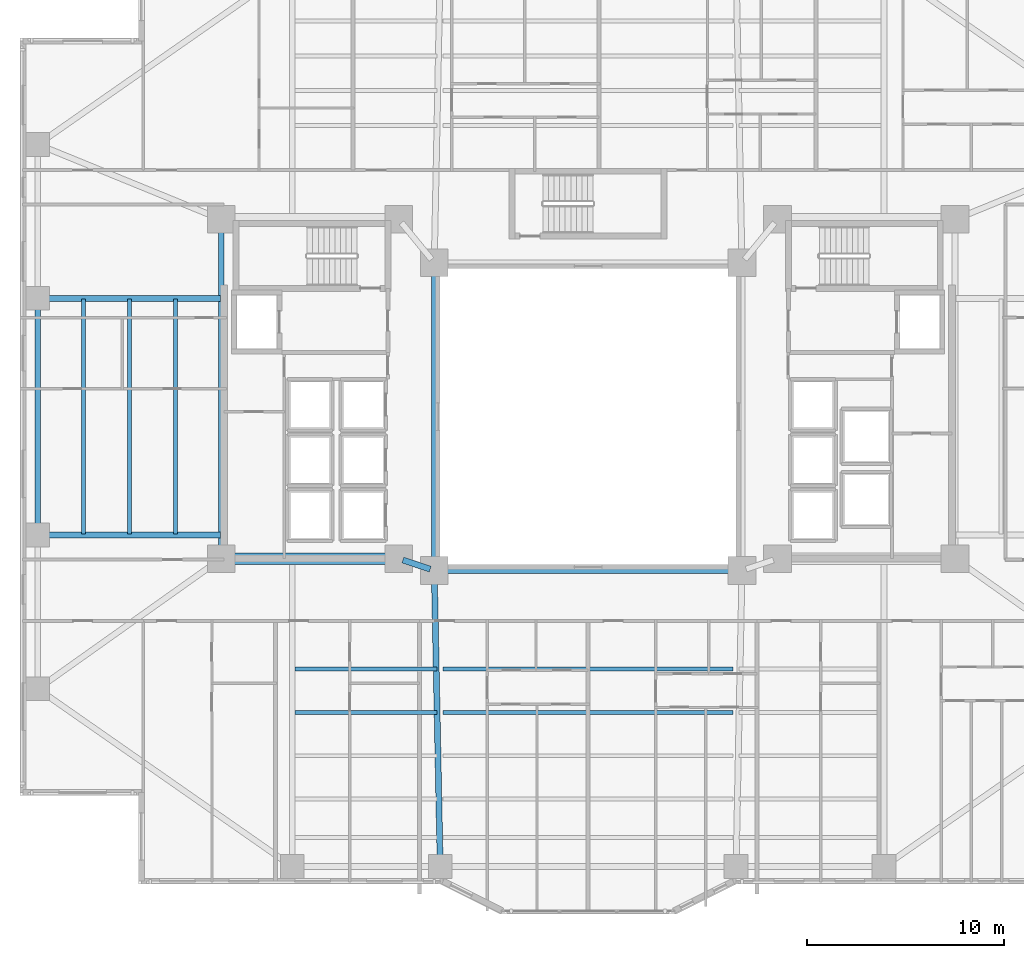
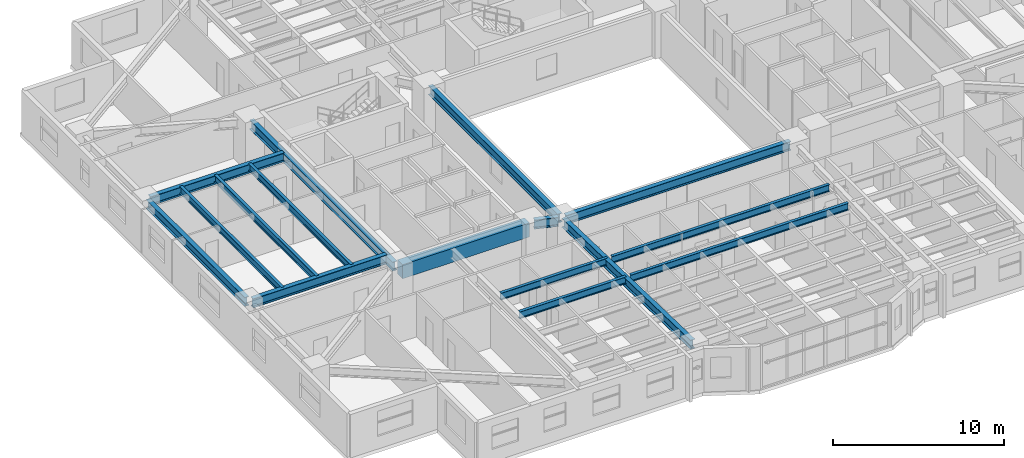
# One storey, part 3 of 21: 16 beams.
"""IFC4 building model written with IfcOpenShell, lengths in metres."""

from ifc_helpers import new_model, si_unit, direction, frame, origin, origin_2d, place, context, subcontext, project, spatial, rectangle, i_section, extrude, material, material_profile, profile_set, type_object, element, save


model = new_model("IFC4")

# Units and contexts
model_context = context("Model", 3, precision=1e-05, world=origin(), true_north=direction((0.0, 1.0)))
body_context = subcontext(model_context, "Body", "Model", "MODEL_VIEW")
ifc_project = project(units=[si_unit("LENGTHUNIT", "METRE"), si_unit("AREAUNIT", "SQUARE_METRE"), si_unit("VOLUMEUNIT", "CUBIC_METRE"), si_unit("PLANEANGLEUNIT", "RADIAN"), si_unit("MASSUNIT", "GRAM", prefix="KILO")], contexts=[model_context])

# Site, building, storey
site_placement = place(None, origin())
site = spatial("IfcSite", under=ifc_project, at=site_placement, CompositionType="ELEMENT")
building_placement = place(site_placement, origin())
building = spatial("IfcBuilding", under=site, at=building_placement, Name="Tarnavaz Court Tower", CompositionType="ELEMENT")
storey_placement = place(building_placement, frame((0.0, 0.0, 24.0)))
storey = spatial("IfcBuildingStorey", under=building, at=storey_placement, Name="L05", CompositionType="ELEMENT", Elevation=24.0)

# Beams
ifc_material_1 = material(Name="Concrete C60/75", Category="concrete")
ifc_material_profile_1 = material_profile(ifc_material_1, rectangle(XDim=0.60009765625, YDim=1.0, at=origin_2d()), Name="RC 600X1000")
ifc_profile_set_1 = profile_set([ifc_material_profile_1], Name="Concrete C60/75")
beam_type_1 = type_object("IfcBeamType", Name="BM-CB1000", PredefinedType="LINTEL", material=ifc_profile_set_1)
beam_1_placement = place(storey_placement, frame((-18.3798828125, -7.199951171875, 2.60009765625), z_axis=(1.0, 0.0, 0.0), x_axis=(0.0, 1.0, 0.0)))
element("IfcBeam", 1, at=beam_1_placement, inside=storey, type_object=beam_type_1, Name="L05 Beam IN-CW-SO-CW-SI", PredefinedType="LINTEL", context=body_context, shape_type="SweptSolid", body=[
    extrude(rectangle(XDim=0.60009765625, YDim=1.0, at=origin_2d()), origin(), (0.0, 0.0, 1.0), 8.559814453125),
])
ifc_material_2 = material(Name="Steel S355", Category="steel")
ifc_material_profile_2 = material_profile(ifc_material_2, i_section(OverallWidth=0.300048828125, OverallDepth=0.64990234375, WebThickness=0.01611328125, FlangeThickness=0.031005859375, FilletRadius=0.027099609375, at=origin_2d()), Name="HEB 650")
ifc_profile_set_2 = profile_set([ifc_material_profile_2], Name="Steel S355")
beam_type_2 = type_object("IfcBeamType", Name="BM-G-HEB650", PredefinedType="USERDEFINED", material=ifc_profile_set_2)
beam_2_placement = place(storey_placement, frame((-9.391357421875, -7.26953125, 2.77490234375), z_axis=(0.948666544706, -0.316278021615, 0.0), x_axis=(0.316278021615, 0.948666544706, 0.0)))
element("IfcBeam", 2, at=beam_2_placement, inside=storey, type_object=beam_type_2, Name="L05 Beam IN-CW-SI-IW-SW", ObjectType="GIRDER", PredefinedType="USERDEFINED", context=body_context, shape_type="SweptSolid", body=[
    extrude(i_section(OverallWidth=0.300048828125, OverallDepth=0.64990234375, WebThickness=0.01611328125, FlangeThickness=0.031005859375, FilletRadius=0.027099609375, at=origin_2d()), origin(), (0.0, 0.0, 1.0), 1.457275390625),
])
beam_3_placement = place(storey_placement, frame((-18.60009765625, -6.97998046875, 2.77490234375), z_axis=(0.0, 1.0, 0.0), x_axis=(-1.0, 0.0, 0.0)))
element("IfcBeam", 3, at=beam_3_placement, inside=storey, type_object=beam_type_2, Name="L05 Beam IN-CW-SO-CW-NO", ObjectType="GIRDER", PredefinedType="USERDEFINED", context=body_context, shape_type="SweptSolid", body=[
    extrude(i_section(OverallWidth=0.300048828125, OverallDepth=0.64990234375, WebThickness=0.01611328125, FlangeThickness=0.031005859375, FilletRadius=0.027099609375, at=origin_2d()), origin(), (0.0, 0.0, 1.0), 16.760009765625),
])
beam_4_placement = place(storey_placement, frame((-7.795654296875, -8.02001953125, 2.77490234375), z_axis=(0.020000023066, -0.999799979535, 0.0), x_axis=(0.999799979535, 0.020000023066, 0.0)))
element("IfcBeam", 4, at=beam_4_placement, inside=storey, type_object=beam_type_2, Name="L05 Beam RG-06", ObjectType="GIRDER", PredefinedType="USERDEFINED", context=body_context, shape_type="SweptSolid", body=[
    extrude(i_section(OverallWidth=0.300048828125, OverallDepth=0.64990234375, WebThickness=0.01611328125, FlangeThickness=0.031005859375, FilletRadius=0.027099609375, at=origin_2d()), origin(), (0.0, 0.0, 1.0), 14.56298828125),
])
for number, where, z_axis, x_axis, name in (
    (5, (-18.639892578125, -6.0, 2.77490234375), (-1.0, 0.0, 0.0), (0.0, -1.0, 0.0), "L05 Beam RG-13"),
    (6, (-18.639892578125, 6.0, 2.77490234375), (-1.0, 0.0, 0.0), (0.0, -1.0, 0.0), "L05 Beam RG-14"),
):
    element("IfcBeam", number, at=place(storey_placement, frame(where, z_axis=z_axis, x_axis=x_axis)), inside=storey, type_object=beam_type_2, Name=name, ObjectType="GIRDER", PredefinedType="USERDEFINED", context=body_context, shape_type="SweptSolid", body=[
        extrude(i_section(OverallWidth=0.300048828125, OverallDepth=0.64990234375, WebThickness=0.01611328125, FlangeThickness=0.031005859375, FilletRadius=0.027099609375, at=origin_2d()), origin(), (0.0, 0.0, 1.0), 9.0400390625),
    ])
ifc_material_profile_3 = material_profile(ifc_material_2, i_section(OverallWidth=0.199951171875, OverallDepth=0.5, WebThickness=0.01025390625, FlangeThickness=0.01611328125, FilletRadius=0.02099609375, at=origin_2d()), Name="IPE 500")
ifc_profile_set_3 = profile_set([ifc_material_profile_3], Name="Steel S355")
beam_type_3 = type_object("IfcBeamType", Name="BM-J-IPE500", PredefinedType="JOIST", material=ifc_profile_set_3)
beam_5_placement = place(storey_placement, frame((-14.85009765625, -12.7958984375, 2.85009765625), z_axis=(1.0, 0.0, 0.0), x_axis=(0.0, 1.0, 0.0)))
element("IfcBeam", 7, at=beam_5_placement, inside=storey, type_object=beam_type_3, Name="L05 Beam JS1-1", PredefinedType="JOIST", context=body_context, shape_type="SweptSolid", body=[
    extrude(i_section(OverallWidth=0.199951171875, OverallDepth=0.5, WebThickness=0.01025390625, FlangeThickness=0.01611328125, FilletRadius=0.02099609375, at=origin_2d()), origin(), (0.0, 0.0, 1.0), 7.2001953125),
])
beam_6_placement = place(storey_placement, frame((-7.35009765625, -12.7958984375, 2.85009765625), z_axis=(1.0, 0.0, 0.0), x_axis=(0.0, 1.0, 0.0)))
element("IfcBeam", 8, at=beam_6_placement, inside=storey, type_object=beam_type_3, Name="L05 Beam JS1-2", PredefinedType="JOIST", context=body_context, shape_type="SweptSolid", body=[
    extrude(i_section(OverallWidth=0.199951171875, OverallDepth=0.5, WebThickness=0.01025390625, FlangeThickness=0.01611328125, FilletRadius=0.02099609375, at=origin_2d()), origin(), (0.0, 0.0, 1.0), 14.7001953125),
])
beam_7_placement = place(storey_placement, frame((-14.85009765625, -14.991943359375, 2.85009765625), z_axis=(1.0, 0.0, 0.0), x_axis=(0.0, 1.0, 0.0)))
element("IfcBeam", 9, at=beam_7_placement, inside=storey, type_object=beam_type_3, Name="L05 Beam JS2-1", PredefinedType="JOIST", context=body_context, shape_type="SweptSolid", body=[
    extrude(i_section(OverallWidth=0.199951171875, OverallDepth=0.5, WebThickness=0.01025390625, FlangeThickness=0.01611328125, FilletRadius=0.02099609375, at=origin_2d()), origin(), (0.0, 0.0, 1.0), 7.2001953125),
])
beam_8_placement = place(storey_placement, frame((-7.35009765625, -14.991943359375, 2.85009765625), z_axis=(1.0, 0.0, 0.0), x_axis=(0.0, 1.0, 0.0)))
element("IfcBeam", 10, at=beam_8_placement, inside=storey, type_object=beam_type_3, Name="L05 Beam JS2-2", PredefinedType="JOIST", context=body_context, shape_type="SweptSolid", body=[
    extrude(i_section(OverallWidth=0.199951171875, OverallDepth=0.5, WebThickness=0.01025390625, FlangeThickness=0.01611328125, FilletRadius=0.02099609375, at=origin_2d()), origin(), (0.0, 0.0, 1.0), 14.7001953125),
])
for number, where, z_axis, x_axis, name in (
    (11, (-20.925048828125, -5.9599609375, 2.85009765625), (0.0, 1.0, 0.0), (-1.0, 0.0, 0.0), "L05 Beam JW1"),
    (12, (-23.25, -5.9599609375, 2.85009765625), (0.0, 1.0, 0.0), (-1.0, 0.0, 0.0), "L05 Beam JW2"),
    (13, (-25.574951171875, -5.9599609375, 2.85009765625), (0.0, 1.0, 0.0), (-1.0, 0.0, 0.0), "L05 Beam JW3"),
):
    element("IfcBeam", number, at=place(storey_placement, frame(where, z_axis=z_axis, x_axis=x_axis)), inside=storey, type_object=beam_type_3, Name=name, PredefinedType="JOIST", context=body_context, shape_type="SweptSolid", body=[
        extrude(i_section(OverallWidth=0.199951171875, OverallDepth=0.5, WebThickness=0.01025390625, FlangeThickness=0.01611328125, FilletRadius=0.02099609375, at=origin_2d()), origin(), (0.0, 0.0, 1.0), 11.919921875),
    ])
ifc_material_profile_4 = material_profile(ifc_material_2, i_section(OverallWidth=0.300048828125, OverallDepth=0.639892578125, WebThickness=0.013427734375, FlangeThickness=0.02587890625, FilletRadius=0.027099609375, at=origin_2d()), Name="HEA 650")
ifc_profile_set_4 = profile_set([ifc_material_profile_4], Name="Steel S355")
beam_type_4 = type_object("IfcBeamType", Name="BM-SP-HEA650", PredefinedType="SPANDREL", material=ifc_profile_set_4)
for number, where, z_axis, x_axis, name in (
    (14, (-7.580078125, -7.800048828125, 2.780029296875), (1.0, 0.0, 0.0), (0.0, 1.0, 0.0), "L05 Beam IN-IW-SW-IW-SE"),
    (15, (-7.800048828125, -7.580078125, 2.780029296875), (0.0, 1.0, 0.0), (-1.0, 0.0, 0.0), "L05 Beam IN-IW-SW-IW-NW"),
):
    element("IfcBeam", number, at=place(storey_placement, frame(where, z_axis=z_axis, x_axis=x_axis)), inside=storey, type_object=beam_type_4, Name=name, PredefinedType="SPANDREL", context=body_context, shape_type="SweptSolid", body=[
        extrude(i_section(OverallWidth=0.300048828125, OverallDepth=0.639892578125, WebThickness=0.013427734375, FlangeThickness=0.02587890625, FilletRadius=0.027099609375, at=origin_2d()), origin(), (0.0, 0.0, 1.0), 15.16015625),
    ])
beam_9_placement = place(storey_placement, frame((-27.89990234375, -5.780029296875, 2.780029296875), z_axis=(0.0, 1.0, 0.0), x_axis=(-1.0, 0.0, 0.0)))
element("IfcBeam", 16, at=beam_9_placement, inside=storey, type_object=beam_type_4, Name="L05 Beam PR-PW-2-PW-3", PredefinedType="SPANDREL", context=body_context, shape_type="SweptSolid", body=[
    extrude(i_section(OverallWidth=0.300048828125, OverallDepth=0.639892578125, WebThickness=0.013427734375, FlangeThickness=0.02587890625, FilletRadius=0.027099609375, at=origin_2d()), origin(), (0.0, 0.0, 1.0), 11.56005859375),
])

save(model, "model.ifc")
